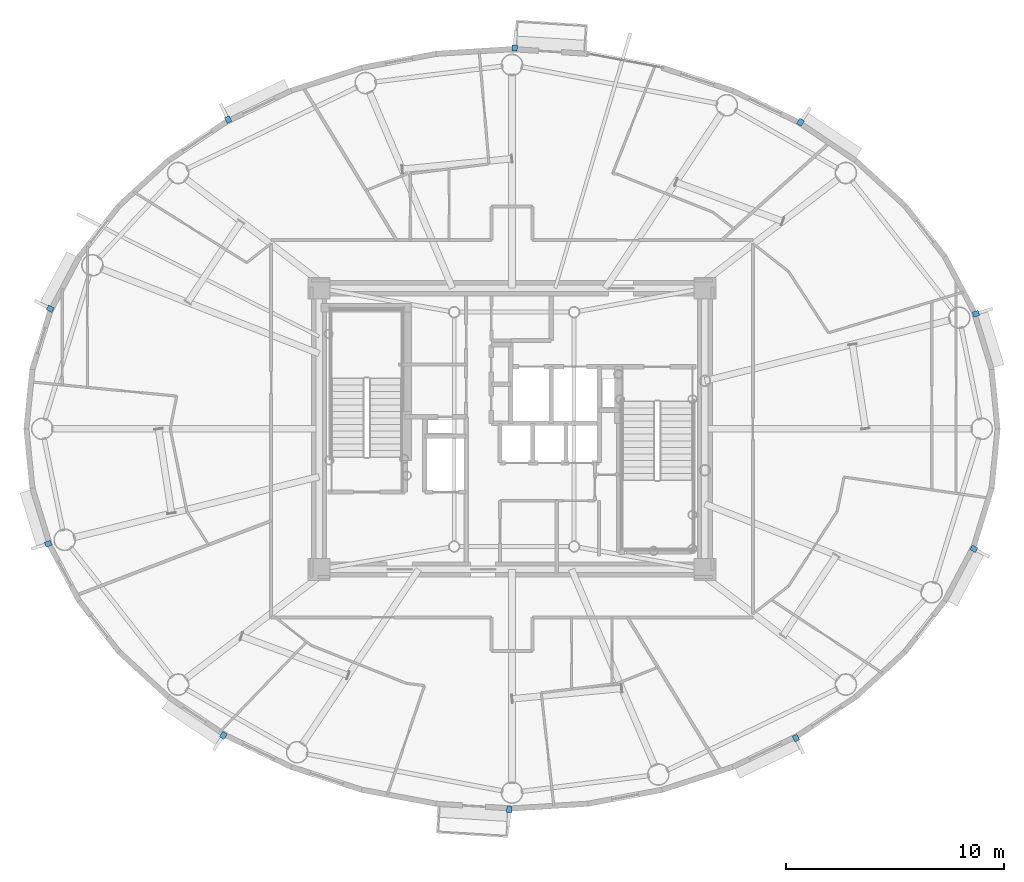
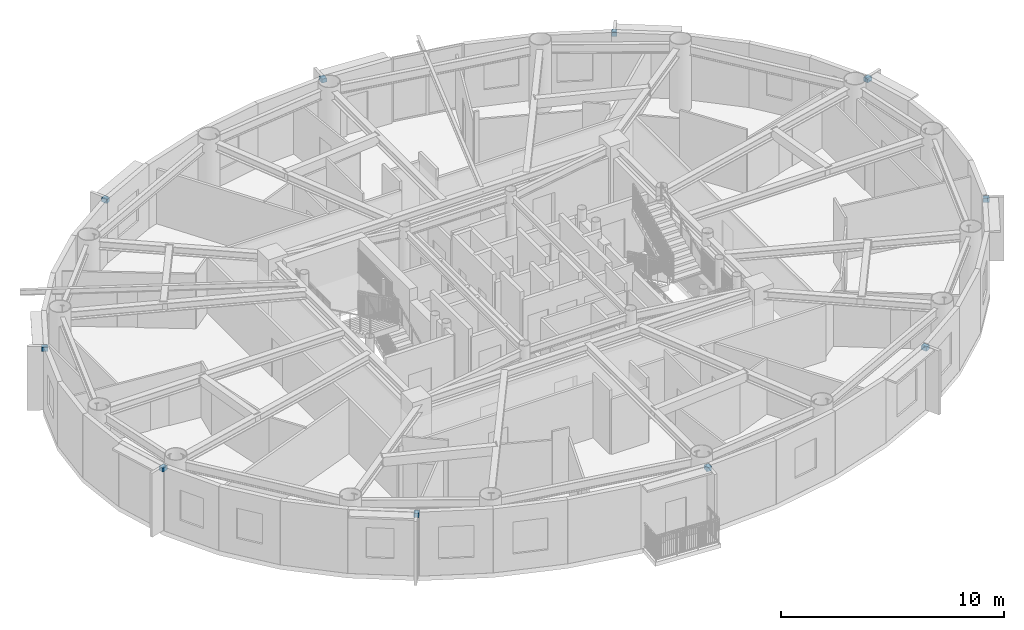
# One storey, part 12 of 20: 10 discrete accessories.
"""IFC4 building model written with IfcOpenShell, lengths in metres."""

from ifc_helpers import new_model, si_unit, direction, frame, origin, origin_2d, place, context, subcontext, project, spatial, rectangle, extrude, source, transform, mapped, material, type_object, element, save


model = new_model("IFC4")

# Units and contexts
model_context = context("Model", 3, precision=1e-05, world=origin(), true_north=direction((0.0, 1.0)))
body_context = subcontext(model_context, "Body", "Model", "MODEL_VIEW")
ifc_project = project(units=[si_unit("LENGTHUNIT", "METRE"), si_unit("AREAUNIT", "SQUARE_METRE"), si_unit("VOLUMEUNIT", "CUBIC_METRE"), si_unit("PLANEANGLEUNIT", "RADIAN"), si_unit("MASSUNIT", "GRAM", prefix="KILO")], contexts=[model_context])

# Site, building, storey
site_placement = place(None, origin())
site = spatial("IfcSite", under=ifc_project, at=site_placement, CompositionType="ELEMENT")
building_placement = place(site_placement, origin())
building = spatial("IfcBuilding", under=site, at=building_placement, Name="Linh Dai School and Residence Tower", CompositionType="ELEMENT")
storey_placement = place(building_placement, frame((0.0, 0.0, 288.0)))
storey = spatial("IfcBuildingStorey", under=building, at=storey_placement, Name="L71", CompositionType="ELEMENT", Elevation=288.0)

# Discrete accessories
ifc_material = material(Name="Structural Steel S355JR", Category="steel")
discrete_accessory_type = type_object("IfcDiscreteAccessoryType", Name="ACC-BRK-S355", PredefinedType="BRACKET", material=ifc_material)
shared_shape = source(origin(), body_context, "Body", "SweptSolid", [
    extrude(rectangle(XDim=0.280029296875, YDim=0.239990234375, at=origin_2d()), origin(), (0.0, 0.0, 1.0), 0.219970703125),
])
for number, where, z_axis, x_axis, name in (
    (1, (57.28076171875, 32.275146484375, 3.25), (0.0, 0.0, 1.0), (0.956069236934, 0.293140945944, 0.0), "L71 Facade Frame Anchor Bracket 02"),
    (2, (49.23779296875, 41.064697265625, 3.25), (0.0, 0.0, 1.0), (0.555907926874, 0.831243873264, 0.0), "L71 Facade Frame Anchor Bracket 06"),
    (3, (36.12353515625, 44.467529296875, 3.25), (0.0, 0.0, 1.0), (0.061509965157, 0.998106469364, 0.0), "L71 Facade Frame Anchor Bracket 10"),
    (4, (22.9775390625, 41.1875, 3.25), (0.0, 0.0, 1.0), (-0.432611916456, 0.901580240323, 0.0), "L71 Facade Frame Anchor Bracket 14"),
    (5, (14.81494140625, 32.50634765625, 3.25), (0.0, 0.0, 1.0), (-0.883938310975, 0.467603531201, 0.0), "L71 Facade Frame Anchor Bracket 18"),
    (6, (14.71923828125, 21.724853515625, 3.25), (0.0, 0.0, 1.0), (-0.956069236934, -0.293140945944, 0.0), "L71 Facade Frame Anchor Bracket 22"),
    (7, (22.76220703125, 12.935302734375, 3.25), (0.0, 0.0, 1.0), (-0.555905765624, -0.831245318631, 0.0), "L71 Facade Frame Anchor Bracket 26"),
    (8, (35.87646484375, 9.532470703125, 3.25), (0.0, 0.0, 1.0), (-0.061509965157, -0.998106469364, 0.0), "L71 Facade Frame Anchor Bracket 30"),
    (9, (49.0224609375, 12.8125, 3.25), (0.0, 0.0, 1.0), (0.432611916456, -0.901580240323, 0.0), "L71 Facade Frame Anchor Bracket 34"),
    (10, (57.18505859375, 21.49365234375, 3.25), (0.0, 0.0, 1.0), (0.883938310975, -0.467603531201, 0.0), "L71 Facade Frame Anchor Bracket 38"),
):
    element("IfcDiscreteAccessory", number, at=place(storey_placement, frame(where, z_axis=z_axis, x_axis=x_axis)), inside=storey, type_object=discrete_accessory_type, Name=name, PredefinedType="BRACKET", context=body_context, shape_type="MappedRepresentation", body=[
        mapped(shared_shape, transform((0.0, 0.0, 0.0), x_axis=(1.0, 0.0, 0.0), y_axis=(0.0, 1.0, 0.0), z_axis=(0.0, 0.0, 1.0), scale=1.0)),
    ])

save(model, "model.ifc")
